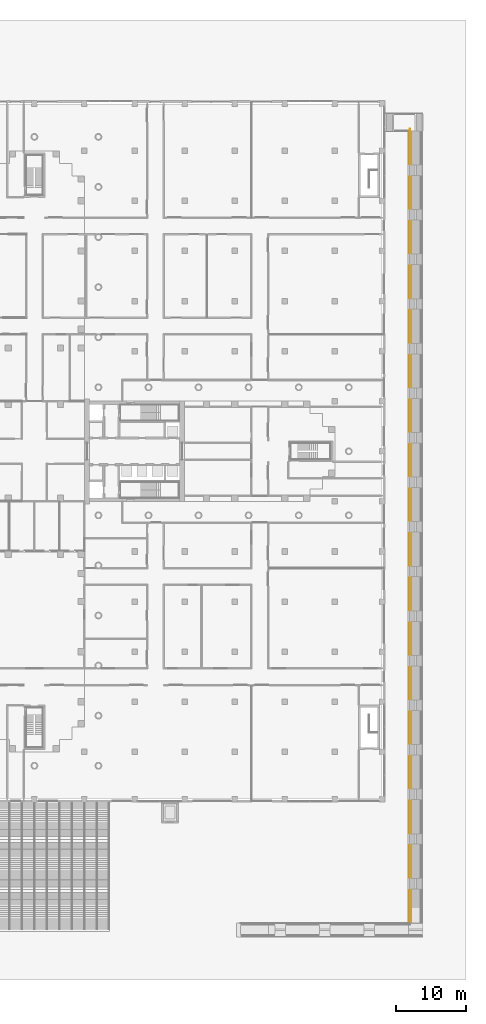
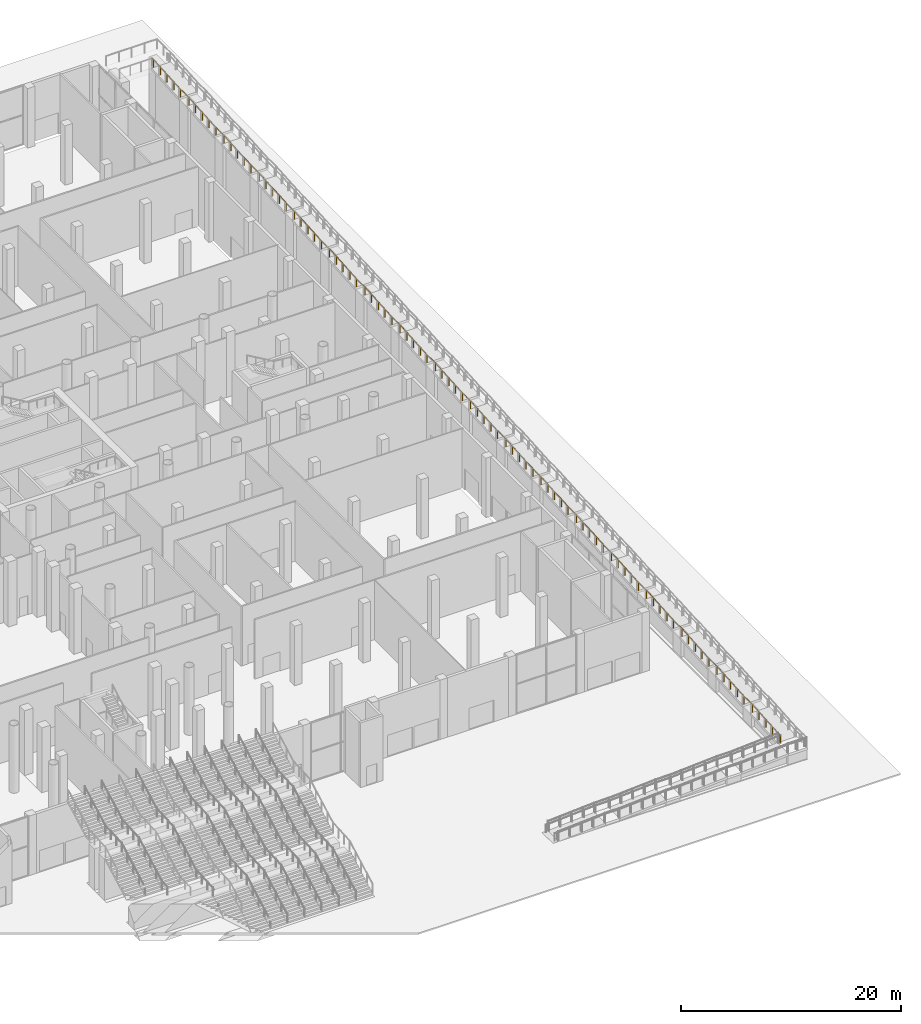
# One storey, part 40 of 44: 1 railing.
"""IFC4 building model written with IfcOpenShell, lengths in metres."""

from ifc_helpers import new_model, si_unit, direction, frame, origin, origin_2d, place, context, subcontext, project, spatial, circle, extrude, material, type_object, element, save


model = new_model("IFC4")

# Units and contexts
model_context = context("Model", 3, precision=1e-05, world=origin(), true_north=direction((0.0, 1.0)))
body_context = subcontext(model_context, "Body", "Model", "MODEL_VIEW")
ifc_project = project(units=[si_unit("LENGTHUNIT", "METRE"), si_unit("AREAUNIT", "SQUARE_METRE"), si_unit("VOLUMEUNIT", "CUBIC_METRE"), si_unit("PLANEANGLEUNIT", "RADIAN"), si_unit("MASSUNIT", "GRAM", prefix="KILO")], contexts=[model_context])

# Site, building, storey
site_placement = place(None, origin())
site = spatial("IfcSite", under=ifc_project, at=site_placement, CompositionType="ELEMENT")
building_placement = place(site_placement, origin())
building = spatial("IfcBuilding", under=site, at=building_placement, Name="Fustian Cross Tower", CompositionType="ELEMENT")
storey_placement = place(building_placement, origin())
storey = spatial("IfcBuildingStorey", under=building, at=storey_placement, Name="L00", CompositionType="ELEMENT", Elevation=0.0)

# Railing
ifc_material = material(Name="Steel S355", Category="steel")
railing_type = type_object("IfcRailingType", Name="STEEL HANDRAIL 900", PredefinedType="HANDRAIL", material=ifc_material)
railing_placement = place(storey_placement, frame((54.0, -68.0, 1.30908203125)))
element("IfcRailing", 1, at=railing_placement, inside=storey, type_object=railing_type, Name="Ramp handrail H1 east leg", PredefinedType="HANDRAIL", context=body_context, shape_type="SweptSolid", body=[
    extrude(circle(Radius=0.02392578125, at=origin_2d()), frame((0.0, 0.0, 0.8759765625), z_axis=(0.0, 1.0, 0.0), x_axis=(-1.0, 0.0, 0.0)), (0.0, 0.0, 1.0), 0.199951171875),
    extrude(circle(Radius=0.02392578125, at=origin_2d()), frame((0.0, 0.199951171875, 0.8759765625), z_axis=(0.0, 0.99778362065, 0.066542064616), x_axis=(-1.0, 0.0, 0.0)), (0.0, 0.0, 1.0), 4.920166015625),
    extrude(circle(Radius=0.02392578125, at=origin_2d()), frame((0.0, 5.109130859375, 1.203125), z_axis=(0.0, 1.0, 0.0), x_axis=(-1.0, 0.0, 0.0)), (0.0, 0.0, 1.0), 1.5),
    extrude(circle(Radius=0.02392578125, at=origin_2d()), frame((0.0, 6.609130859375, 1.203125), z_axis=(0.0, 0.997786694612, 0.066495955179), x_axis=(-1.0, 0.0, 0.0)), (0.0, 0.0, 1.0), 4.919921875),
    extrude(circle(Radius=0.02392578125, at=origin_2d()), frame((0.0, 11.51806640625, 1.5302734375), z_axis=(0.0, 1.0, 0.0), x_axis=(-1.0, 0.0, 0.0)), (0.0, 0.0, 1.0), 1.5),
    extrude(circle(Radius=0.02392578125, at=origin_2d()), frame((0.0, 13.01806640625, 1.5302734375), z_axis=(0.0, 0.99778362065, 0.066542064616), x_axis=(-1.0, 0.0, 0.0)), (0.0, 0.0, 1.0), 4.920166015625),
    extrude(circle(Radius=0.02392578125, at=origin_2d()), frame((0.0, 17.92724609375, 1.85791015625), z_axis=(0.0, 1.0, 0.0), x_axis=(-1.0, 0.0, 0.0)), (0.0, 0.0, 1.0), 1.5),
    extrude(circle(Radius=0.02392578125, at=origin_2d()), frame((0.0, 19.42724609375, 1.85791015625), z_axis=(0.0, 0.997786914018, 0.06649266286), x_axis=(-1.0, 0.0, 0.0)), (0.0, 0.0, 1.0), 4.920166015625),
    extrude(circle(Radius=0.02392578125, at=origin_2d()), frame((0.0, 24.33642578125, 2.18505859375), z_axis=(0.0, 1.0, 0.0), x_axis=(-1.0, 0.0, 0.0)), (0.0, 0.0, 1.0), 1.5),
    extrude(circle(Radius=0.02392578125, at=origin_2d()), frame((0.0, 25.83642578125, 2.18505859375), z_axis=(0.0, 0.997783400918, 0.066545359359), x_axis=(-1.0, 0.0, 0.0)), (0.0, 0.0, 1.0), 4.919921875),
    extrude(circle(Radius=0.02392578125, at=origin_2d()), frame((0.0, 30.745361328125, 2.51220703125), z_axis=(0.0, 1.0, 0.0), x_axis=(-1.0, 0.0, 0.0)), (0.0, 0.0, 1.0), 1.5),
    extrude(circle(Radius=0.02392578125, at=origin_2d()), frame((0.0, 32.245361328125, 2.51220703125), z_axis=(0.0, 0.997786914018, 0.06649266286), x_axis=(-1.0, 0.0, 0.0)), (0.0, 0.0, 1.0), 4.920166015625),
    extrude(circle(Radius=0.02392578125, at=origin_2d()), frame((0.0, 37.154541015625, 2.83935546875), z_axis=(0.0, 1.0, 0.0), x_axis=(-1.0, 0.0, 0.0)), (0.0, 0.0, 1.0), 1.5),
    extrude(circle(Radius=0.02392578125, at=origin_2d()), frame((0.0, 38.654541015625, 2.83935546875), z_axis=(0.0, 0.99778362065, 0.066542064616), x_axis=(-1.0, 0.0, 0.0)), (0.0, 0.0, 1.0), 4.920166015625),
    extrude(circle(Radius=0.02392578125, at=origin_2d()), frame((0.0, 43.563720703125, 3.1669921875), z_axis=(0.0, 1.0, 0.0), x_axis=(-1.0, 0.0, 0.0)), (0.0, 0.0, 1.0), 1.5),
    extrude(circle(Radius=0.02392578125, at=origin_2d()), frame((0.0, 45.063720703125, 3.1669921875), z_axis=(0.0, 0.997786694612, 0.066495955179), x_axis=(-1.0, 0.0, 0.0)), (0.0, 0.0, 1.0), 4.919921875),
    extrude(circle(Radius=0.02392578125, at=origin_2d()), frame((0.0, 49.97265625, 3.494140625), z_axis=(0.0, 1.0, 0.0), x_axis=(-1.0, 0.0, 0.0)), (0.0, 0.0, 1.0), 1.5),
    extrude(circle(Radius=0.02392578125, at=origin_2d()), frame((0.0, 51.47265625, 3.494140625), z_axis=(0.0, 0.99778362065, 0.066542064616), x_axis=(-1.0, 0.0, 0.0)), (0.0, 0.0, 1.0), 4.920166015625),
    extrude(circle(Radius=0.02392578125, at=origin_2d()), frame((0.0, 56.3818359375, 3.8212890625), z_axis=(0.0, 1.0, 0.0), x_axis=(-1.0, 0.0, 0.0)), (0.0, 0.0, 1.0), 1.5),
    extrude(circle(Radius=0.02392578125, at=origin_2d()), frame((0.0, 57.8818359375, 3.8212890625), z_axis=(0.0, 0.997786914018, 0.06649266286), x_axis=(-1.0, 0.0, 0.0)), (0.0, 0.0, 1.0), 4.920166015625),
    extrude(circle(Radius=0.02392578125, at=origin_2d()), frame((0.0, 62.791015625, 4.1484375), z_axis=(0.0, 1.0, 0.0), x_axis=(-1.0, 0.0, 0.0)), (0.0, 0.0, 1.0), 1.5),
    extrude(circle(Radius=0.02392578125, at=origin_2d()), frame((0.0, 64.291015625, 4.1484375), z_axis=(0.0, 0.997783400918, 0.066545359359), x_axis=(-1.0, 0.0, 0.0)), (0.0, 0.0, 1.0), 4.919921875),
    extrude(circle(Radius=0.02392578125, at=origin_2d()), frame((0.0, 69.199951171875, 4.47607421875), z_axis=(0.0, 1.0, 0.0), x_axis=(-1.0, 0.0, 0.0)), (0.0, 0.0, 1.0), 1.5),
    extrude(circle(Radius=0.02392578125, at=origin_2d()), frame((0.0, 70.699951171875, 4.47607421875), z_axis=(0.0, 0.997786914018, 0.06649266286), x_axis=(-1.0, 0.0, 0.0)), (0.0, 0.0, 1.0), 4.920166015625),
    extrude(circle(Radius=0.02392578125, at=origin_2d()), frame((0.0, 75.609130859375, 4.80322265625), z_axis=(0.0, 1.0, 0.0), x_axis=(-1.0, 0.0, 0.0)), (0.0, 0.0, 1.0), 1.5),
    extrude(circle(Radius=0.02392578125, at=origin_2d()), frame((0.0, 77.109130859375, 4.80322265625), z_axis=(0.0, 0.997783400918, 0.066545359359), x_axis=(-1.0, 0.0, 0.0)), (0.0, 0.0, 1.0), 4.919921875),
    extrude(circle(Radius=0.02392578125, at=origin_2d()), frame((0.0, 82.01806640625, 5.13037109375), z_axis=(0.0, 1.0, 0.0), x_axis=(-1.0, 0.0, 0.0)), (0.0, 0.0, 1.0), 1.5),
    extrude(circle(Radius=0.02392578125, at=origin_2d()), frame((0.0, 83.51806640625, 5.13037109375), z_axis=(0.0, 0.997786914018, 0.06649266286), x_axis=(-1.0, 0.0, 0.0)), (0.0, 0.0, 1.0), 4.920166015625),
    extrude(circle(Radius=0.02392578125, at=origin_2d()), frame((0.0, 88.42724609375, 5.45751953125), z_axis=(0.0, 1.0, 0.0), x_axis=(-1.0, 0.0, 0.0)), (0.0, 0.0, 1.0), 1.5),
    extrude(circle(Radius=0.02392578125, at=origin_2d()), frame((0.0, 89.92724609375, 5.45751953125), z_axis=(0.0, 0.99778362065, 0.066542064616), x_axis=(-1.0, 0.0, 0.0)), (0.0, 0.0, 1.0), 4.920166015625),
    extrude(circle(Radius=0.02392578125, at=origin_2d()), frame((0.0, 94.83642578125, 5.78515625), z_axis=(0.0, 1.0, 0.0), x_axis=(-1.0, 0.0, 0.0)), (0.0, 0.0, 1.0), 1.5),
    extrude(circle(Radius=0.02392578125, at=origin_2d()), frame((0.0, 96.33642578125, 5.78515625), z_axis=(0.0, 0.997786694612, 0.066495955179), x_axis=(-1.0, 0.0, 0.0)), (0.0, 0.0, 1.0), 4.919921875),
    extrude(circle(Radius=0.02392578125, at=origin_2d()), frame((0.0, 101.245361328125, 6.1123046875), z_axis=(0.0, 1.0, 0.0), x_axis=(-1.0, 0.0, 0.0)), (0.0, 0.0, 1.0), 1.5),
    extrude(circle(Radius=0.02392578125, at=origin_2d()), frame((0.0, 102.745361328125, 6.1123046875), z_axis=(0.0, 0.99778362065, 0.066542064616), x_axis=(-1.0, 0.0, 0.0)), (0.0, 0.0, 1.0), 4.920166015625),
    extrude(circle(Radius=0.02392578125, at=origin_2d()), frame((0.0, 107.654541015625, 6.439453125), z_axis=(0.0, 1.0, 0.0), x_axis=(-1.0, 0.0, 0.0)), (0.0, 0.0, 1.0), 1.5),
    extrude(circle(Radius=0.02392578125, at=origin_2d()), frame((0.0, 109.154541015625, 6.439453125), z_axis=(0.0, 0.997786914018, 0.06649266286), x_axis=(-1.0, 0.0, 0.0)), (0.0, 0.0, 1.0), 4.920166015625),
    extrude(circle(Radius=0.02392578125, at=origin_2d()), frame((0.0, 114.063720703125, 6.7666015625), z_axis=(0.0, 1.0, 0.0), x_axis=(-1.0, 0.0, 0.0)), (0.0, 0.0, 1.0), 0.2998046875),
    extrude(circle(Radius=0.02099609375, at=origin_2d()), origin(), (0.0, 0.0, 1.0), 0.851806640625),
    extrude(circle(Radius=0.02099609375, at=origin_2d()), frame((0.0, 0.199951171875, 0.0)), (0.0, 0.0, 1.0), 0.851806640625),
    extrude(circle(Radius=0.02099609375, at=origin_2d()), frame((0.0, 1.42724609375, 0.081787109375)), (0.0, 0.0, 1.0), 0.851806640625),
    extrude(circle(Radius=0.02099609375, at=origin_2d()), frame((0.0, 2.654541015625, 0.16357421875)), (0.0, 0.0, 1.0), 0.851806640625),
    extrude(circle(Radius=0.02099609375, at=origin_2d()), frame((0.0, 3.8818359375, 0.24560546875)), (0.0, 0.0, 1.0), 0.851806640625),
    extrude(circle(Radius=0.02099609375, at=origin_2d()), frame((0.0, 5.109130859375, 0.327392578125)), (0.0, 0.0, 1.0), 0.851806640625),
    extrude(circle(Radius=0.02099609375, at=origin_2d()), frame((0.0, 6.609130859375, 0.327392578125)), (0.0, 0.0, 1.0), 0.851806640625),
    extrude(circle(Radius=0.02099609375, at=origin_2d()), frame((0.0, 7.83642578125, 0.4091796875)), (0.0, 0.0, 1.0), 0.851806640625),
    extrude(circle(Radius=0.02099609375, at=origin_2d()), frame((0.0, 9.0634765625, 0.490966796875)), (0.0, 0.0, 1.0), 0.851806640625),
    extrude(circle(Radius=0.02099609375, at=origin_2d()), frame((0.0, 10.290771484375, 0.57275390625)), (0.0, 0.0, 1.0), 0.851806640625),
    extrude(circle(Radius=0.02099609375, at=origin_2d()), frame((0.0, 11.51806640625, 0.654541015625)), (0.0, 0.0, 1.0), 0.851806640625),
    extrude(circle(Radius=0.02099609375, at=origin_2d()), frame((0.0, 13.01806640625, 0.654541015625)), (0.0, 0.0, 1.0), 0.851806640625),
    extrude(circle(Radius=0.02099609375, at=origin_2d()), frame((0.0, 14.245361328125, 0.736328125)), (0.0, 0.0, 1.0), 0.851806640625),
    extrude(circle(Radius=0.02099609375, at=origin_2d()), frame((0.0, 15.47265625, 0.818359375)), (0.0, 0.0, 1.0), 0.851806640625),
    extrude(circle(Radius=0.02099609375, at=origin_2d()), frame((0.0, 16.699951171875, 0.900146484375)), (0.0, 0.0, 1.0), 0.851806640625),
    extrude(circle(Radius=0.02099609375, at=origin_2d()), frame((0.0, 17.92724609375, 0.98193359375)), (0.0, 0.0, 1.0), 0.851806640625),
    extrude(circle(Radius=0.02099609375, at=origin_2d()), frame((0.0, 19.42724609375, 0.98193359375)), (0.0, 0.0, 1.0), 0.851806640625),
    extrude(circle(Radius=0.02099609375, at=origin_2d()), frame((0.0, 20.654541015625, 1.063720703125)), (0.0, 0.0, 1.0), 0.851806640625),
    extrude(circle(Radius=0.02099609375, at=origin_2d()), frame((0.0, 21.8818359375, 1.1455078125)), (0.0, 0.0, 1.0), 0.851806640625),
    extrude(circle(Radius=0.02099609375, at=origin_2d()), frame((0.0, 23.109130859375, 1.227294921875)), (0.0, 0.0, 1.0), 0.851806640625),
    extrude(circle(Radius=0.02099609375, at=origin_2d()), frame((0.0, 24.33642578125, 1.30908203125)), (0.0, 0.0, 1.0), 0.851806640625),
    extrude(circle(Radius=0.02099609375, at=origin_2d()), frame((0.0, 25.83642578125, 1.30908203125)), (0.0, 0.0, 1.0), 0.851806640625),
    extrude(circle(Radius=0.02099609375, at=origin_2d()), frame((0.0, 27.063720703125, 1.390869140625)), (0.0, 0.0, 1.0), 0.851806640625),
    extrude(circle(Radius=0.02099609375, at=origin_2d()), frame((0.0, 28.291015625, 1.47265625)), (0.0, 0.0, 1.0), 0.851806640625),
    extrude(circle(Radius=0.02099609375, at=origin_2d()), frame((0.0, 29.51806640625, 1.5546875)), (0.0, 0.0, 1.0), 0.851806640625),
    extrude(circle(Radius=0.02099609375, at=origin_2d()), frame((0.0, 30.745361328125, 1.636474609375)), (0.0, 0.0, 1.0), 0.851806640625),
    extrude(circle(Radius=0.02099609375, at=origin_2d()), frame((0.0, 32.245361328125, 1.636474609375)), (0.0, 0.0, 1.0), 0.851806640625),
    extrude(circle(Radius=0.02099609375, at=origin_2d()), frame((0.0, 33.47265625, 1.71826171875)), (0.0, 0.0, 1.0), 0.851806640625),
    extrude(circle(Radius=0.02099609375, at=origin_2d()), frame((0.0, 34.699951171875, 1.800048828125)), (0.0, 0.0, 1.0), 0.851806640625),
    extrude(circle(Radius=0.02099609375, at=origin_2d()), frame((0.0, 35.92724609375, 1.8818359375)), (0.0, 0.0, 1.0), 0.851806640625),
    extrude(circle(Radius=0.02099609375, at=origin_2d()), frame((0.0, 37.154541015625, 1.963623046875)), (0.0, 0.0, 1.0), 0.851806640625),
    extrude(circle(Radius=0.02099609375, at=origin_2d()), frame((0.0, 38.654541015625, 1.963623046875)), (0.0, 0.0, 1.0), 0.851806640625),
    extrude(circle(Radius=0.02099609375, at=origin_2d()), frame((0.0, 39.8818359375, 2.04541015625)), (0.0, 0.0, 1.0), 0.851806640625),
    extrude(circle(Radius=0.02099609375, at=origin_2d()), frame((0.0, 41.109130859375, 2.12744140625)), (0.0, 0.0, 1.0), 0.851806640625),
    extrude(circle(Radius=0.02099609375, at=origin_2d()), frame((0.0, 42.33642578125, 2.209228515625)), (0.0, 0.0, 1.0), 0.851806640625),
    extrude(circle(Radius=0.02099609375, at=origin_2d()), frame((0.0, 43.563720703125, 2.291015625)), (0.0, 0.0, 1.0), 0.851806640625),
    extrude(circle(Radius=0.02099609375, at=origin_2d()), frame((0.0, 45.063720703125, 2.291015625)), (0.0, 0.0, 1.0), 0.851806640625),
    extrude(circle(Radius=0.02099609375, at=origin_2d()), frame((0.0, 46.291015625, 2.372802734375)), (0.0, 0.0, 1.0), 0.851806640625),
    extrude(circle(Radius=0.02099609375, at=origin_2d()), frame((0.0, 47.51806640625, 2.45458984375)), (0.0, 0.0, 1.0), 0.851806640625),
    extrude(circle(Radius=0.02099609375, at=origin_2d()), frame((0.0, 48.745361328125, 2.536376953125)), (0.0, 0.0, 1.0), 0.851806640625),
    extrude(circle(Radius=0.02099609375, at=origin_2d()), frame((0.0, 49.97265625, 2.6181640625)), (0.0, 0.0, 1.0), 0.851806640625),
    extrude(circle(Radius=0.02099609375, at=origin_2d()), frame((0.0, 51.47265625, 2.6181640625)), (0.0, 0.0, 1.0), 0.851806640625),
    extrude(circle(Radius=0.02099609375, at=origin_2d()), frame((0.0, 52.699951171875, 2.699951171875)), (0.0, 0.0, 1.0), 0.851806640625),
    extrude(circle(Radius=0.02099609375, at=origin_2d()), frame((0.0, 53.92724609375, 2.78173828125)), (0.0, 0.0, 1.0), 0.851806640625),
    extrude(circle(Radius=0.02099609375, at=origin_2d()), frame((0.0, 55.154541015625, 2.86376953125)), (0.0, 0.0, 1.0), 0.851806640625),
    extrude(circle(Radius=0.02099609375, at=origin_2d()), frame((0.0, 56.3818359375, 2.945556640625)), (0.0, 0.0, 1.0), 0.851806640625),
    extrude(circle(Radius=0.02099609375, at=origin_2d()), frame((0.0, 57.8818359375, 2.945556640625)), (0.0, 0.0, 1.0), 0.851806640625),
    extrude(circle(Radius=0.02099609375, at=origin_2d()), frame((0.0, 59.109130859375, 3.02734375)), (0.0, 0.0, 1.0), 0.851806640625),
    extrude(circle(Radius=0.02099609375, at=origin_2d()), frame((0.0, 60.33642578125, 3.109130859375)), (0.0, 0.0, 1.0), 0.851806640625),
    extrude(circle(Radius=0.02099609375, at=origin_2d()), frame((0.0, 61.563720703125, 3.19091796875)), (0.0, 0.0, 1.0), 0.851806640625),
    extrude(circle(Radius=0.02099609375, at=origin_2d()), frame((0.0, 62.791015625, 3.272705078125)), (0.0, 0.0, 1.0), 0.851806640625),
    extrude(circle(Radius=0.02099609375, at=origin_2d()), frame((0.0, 64.291015625, 3.272705078125)), (0.0, 0.0, 1.0), 0.851806640625),
    extrude(circle(Radius=0.02099609375, at=origin_2d()), frame((0.0, 65.518310546875, 3.3544921875)), (0.0, 0.0, 1.0), 0.851806640625),
    extrude(circle(Radius=0.02099609375, at=origin_2d()), frame((0.0, 66.74560546875, 3.4365234375)), (0.0, 0.0, 1.0), 0.851806640625),
    extrude(circle(Radius=0.02099609375, at=origin_2d()), frame((0.0, 67.97265625, 3.518310546875)), (0.0, 0.0, 1.0), 0.851806640625),
    extrude(circle(Radius=0.02099609375, at=origin_2d()), frame((0.0, 69.199951171875, 3.60009765625)), (0.0, 0.0, 1.0), 0.851806640625),
    extrude(circle(Radius=0.02099609375, at=origin_2d()), frame((0.0, 70.699951171875, 3.60009765625)), (0.0, 0.0, 1.0), 0.851806640625),
    extrude(circle(Radius=0.02099609375, at=origin_2d()), frame((0.0, 71.92724609375, 3.681884765625)), (0.0, 0.0, 1.0), 0.851806640625),
    extrude(circle(Radius=0.02099609375, at=origin_2d()), frame((0.0, 73.154541015625, 3.763671875)), (0.0, 0.0, 1.0), 0.851806640625),
    extrude(circle(Radius=0.02099609375, at=origin_2d()), frame((0.0, 74.3818359375, 3.845458984375)), (0.0, 0.0, 1.0), 0.851806640625),
    extrude(circle(Radius=0.02099609375, at=origin_2d()), frame((0.0, 75.609130859375, 3.92724609375)), (0.0, 0.0, 1.0), 0.851806640625),
    extrude(circle(Radius=0.02099609375, at=origin_2d()), frame((0.0, 77.109130859375, 3.92724609375)), (0.0, 0.0, 1.0), 0.851806640625),
    extrude(circle(Radius=0.02099609375, at=origin_2d()), frame((0.0, 78.33642578125, 4.009033203125)), (0.0, 0.0, 1.0), 0.851806640625),
    extrude(circle(Radius=0.02099609375, at=origin_2d()), frame((0.0, 79.5634765625, 4.0908203125)), (0.0, 0.0, 1.0), 0.851806640625),
    extrude(circle(Radius=0.02099609375, at=origin_2d()), frame((0.0, 80.790771484375, 4.1728515625)), (0.0, 0.0, 1.0), 0.851806640625),
    extrude(circle(Radius=0.02099609375, at=origin_2d()), frame((0.0, 82.01806640625, 4.254638671875)), (0.0, 0.0, 1.0), 0.851806640625),
    extrude(circle(Radius=0.02099609375, at=origin_2d()), frame((0.0, 83.51806640625, 4.254638671875)), (0.0, 0.0, 1.0), 0.851806640625),
    extrude(circle(Radius=0.02099609375, at=origin_2d()), frame((0.0, 84.745361328125, 4.33642578125)), (0.0, 0.0, 1.0), 0.851806640625),
    extrude(circle(Radius=0.02099609375, at=origin_2d()), frame((0.0, 85.97265625, 4.418212890625)), (0.0, 0.0, 1.0), 0.851806640625),
    extrude(circle(Radius=0.02099609375, at=origin_2d()), frame((0.0, 87.199951171875, 4.5)), (0.0, 0.0, 1.0), 0.851806640625),
    extrude(circle(Radius=0.02099609375, at=origin_2d()), frame((0.0, 88.42724609375, 4.581787109375)), (0.0, 0.0, 1.0), 0.851806640625),
    extrude(circle(Radius=0.02099609375, at=origin_2d()), frame((0.0, 89.92724609375, 4.581787109375)), (0.0, 0.0, 1.0), 0.851806640625),
    extrude(circle(Radius=0.02099609375, at=origin_2d()), frame((0.0, 91.154541015625, 4.66357421875)), (0.0, 0.0, 1.0), 0.851806640625),
    extrude(circle(Radius=0.02099609375, at=origin_2d()), frame((0.0, 92.3818359375, 4.74560546875)), (0.0, 0.0, 1.0), 0.851806640625),
    extrude(circle(Radius=0.02099609375, at=origin_2d()), frame((0.0, 93.609130859375, 4.827392578125)), (0.0, 0.0, 1.0), 0.851806640625),
    extrude(circle(Radius=0.02099609375, at=origin_2d()), frame((0.0, 94.83642578125, 4.9091796875)), (0.0, 0.0, 1.0), 0.851806640625),
    extrude(circle(Radius=0.02099609375, at=origin_2d()), frame((0.0, 96.33642578125, 4.9091796875)), (0.0, 0.0, 1.0), 0.851806640625),
    extrude(circle(Radius=0.02099609375, at=origin_2d()), frame((0.0, 97.563720703125, 4.990966796875)), (0.0, 0.0, 1.0), 0.851806640625),
    extrude(circle(Radius=0.02099609375, at=origin_2d()), frame((0.0, 98.791015625, 5.07275390625)), (0.0, 0.0, 1.0), 0.851806640625),
    extrude(circle(Radius=0.02099609375, at=origin_2d()), frame((0.0, 100.01806640625, 5.154541015625)), (0.0, 0.0, 1.0), 0.851806640625),
    extrude(circle(Radius=0.02099609375, at=origin_2d()), frame((0.0, 101.245361328125, 5.236328125)), (0.0, 0.0, 1.0), 0.851806640625),
    extrude(circle(Radius=0.02099609375, at=origin_2d()), frame((0.0, 102.745361328125, 5.236328125)), (0.0, 0.0, 1.0), 0.851806640625),
    extrude(circle(Radius=0.02099609375, at=origin_2d()), frame((0.0, 103.97265625, 5.318115234375)), (0.0, 0.0, 1.0), 0.851806640625),
    extrude(circle(Radius=0.02099609375, at=origin_2d()), frame((0.0, 105.199951171875, 5.39990234375)), (0.0, 0.0, 1.0), 0.851806640625),
    extrude(circle(Radius=0.02099609375, at=origin_2d()), frame((0.0, 106.42724609375, 5.48193359375)), (0.0, 0.0, 1.0), 0.851806640625),
    extrude(circle(Radius=0.02099609375, at=origin_2d()), frame((0.0, 107.654541015625, 5.563720703125)), (0.0, 0.0, 1.0), 0.851806640625),
    extrude(circle(Radius=0.02099609375, at=origin_2d()), frame((0.0, 109.154541015625, 5.563720703125)), (0.0, 0.0, 1.0), 0.851806640625),
    extrude(circle(Radius=0.02099609375, at=origin_2d()), frame((0.0, 110.3818359375, 5.6455078125)), (0.0, 0.0, 1.0), 0.851806640625),
    extrude(circle(Radius=0.02099609375, at=origin_2d()), frame((0.0, 111.609130859375, 5.727294921875)), (0.0, 0.0, 1.0), 0.851806640625),
    extrude(circle(Radius=0.02099609375, at=origin_2d()), frame((0.0, 112.83642578125, 5.80908203125)), (0.0, 0.0, 1.0), 0.851806640625),
    extrude(circle(Radius=0.02099609375, at=origin_2d()), frame((0.0, 114.063720703125, 5.890869140625)), (0.0, 0.0, 1.0), 0.851806640625),
    extrude(circle(Radius=0.02099609375, at=origin_2d()), frame((0.0, 114.363525390625, 5.890869140625)), (0.0, 0.0, 1.0), 0.851806640625),
])

save(model, "model.ifc")
